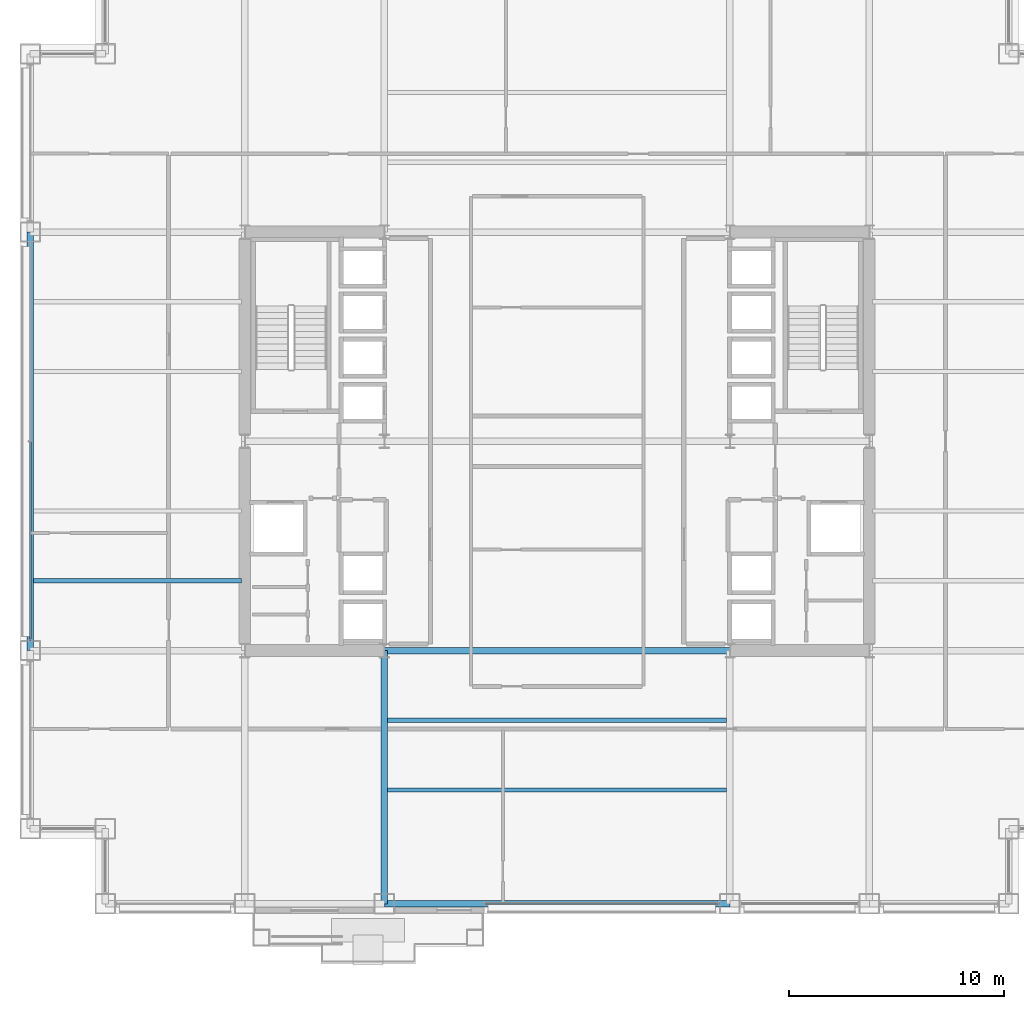
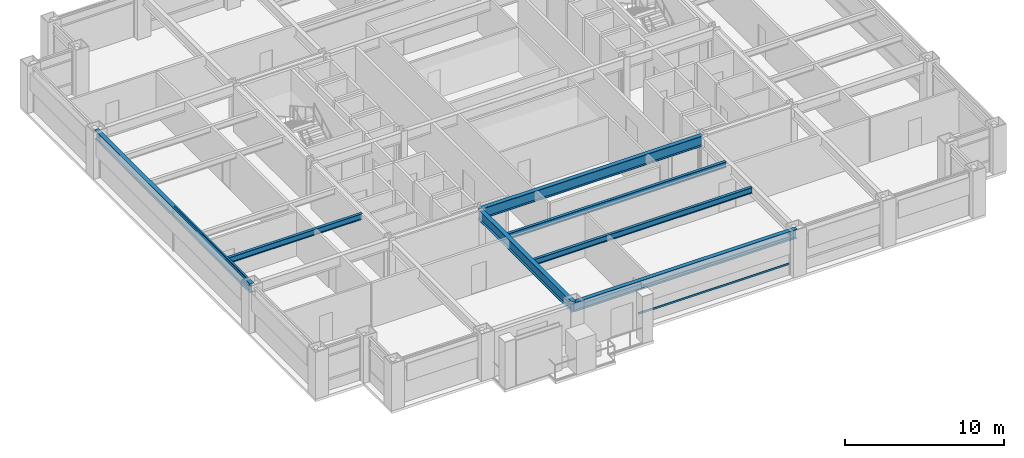
# One storey, part 6 of 31: 7 beams, 2 members, 2 elements without a shape of their own.
"""IFC4 building model written with IfcOpenShell, lengths in metres."""

from ifc_helpers import new_model, si_unit, direction, frame, origin, origin_2d, place, context, subcontext, project, spatial, hollow_rectangle, i_section, extrude, material, layer, layer_set, material_profile, profile_set, type_object, element, aggregate, save


model = new_model("IFC4")

# Units and contexts
model_context = context("Model", 3, precision=1e-05, world=origin(), true_north=direction((0.0, 1.0)))
body_context = subcontext(model_context, "Body", "Model", "MODEL_VIEW")
ifc_project = project(units=[si_unit("LENGTHUNIT", "METRE"), si_unit("AREAUNIT", "SQUARE_METRE"), si_unit("VOLUMEUNIT", "CUBIC_METRE"), si_unit("PLANEANGLEUNIT", "RADIAN"), si_unit("MASSUNIT", "GRAM", prefix="KILO")], contexts=[model_context])

# Site, building, storey
site_placement = place(None, origin())
site = spatial("IfcSite", under=ifc_project, at=site_placement, CompositionType="ELEMENT")
building_placement = place(site_placement, origin())
building = spatial("IfcBuilding", under=site, at=building_placement, Name="Brelmoor Portico Tower", CompositionType="ELEMENT")
storey_placement = place(building_placement, frame((0.0, 0.0, 42.0)))
storey = spatial("IfcBuildingStorey", under=building, at=storey_placement, Name="L10", CompositionType="ELEMENT", Elevation=42.0)

# Beams
ifc_material_1 = material(Name="Steel Q355B", Category="steel")
ifc_material_profile_1 = material_profile(ifc_material_1, i_section(OverallWidth=0.199951171875, OverallDepth=0.449951171875, WebThickness=0.009033203125, FlangeThickness=0.013916015625, at=origin_2d()), Name="HN 450x200x9x14")
ifc_profile_set_1 = profile_set([ifc_material_profile_1], Name="Steel Q355B")
beam_type_1 = type_object("IfcBeamType", Name="BM-JS-450", PredefinedType="JOIST", material=ifc_profile_set_1)
for number, where, z_axis, x_axis, name in (
    (1, (-7.89990234375, -16.25, 3.175048828125), (1.0, 0.0, 0.0), (0.0, 1.0, 0.0), "L10 Secondary Composite Joist JS-C01"),
    (2, (-7.89990234375, -13.0, 3.175048828125), (1.0, 0.0, 0.0), (0.0, 1.0, 0.0), "L10 Secondary Composite Joist JS-C02"),
):
    element("IfcBeam", number, at=place(storey_placement, frame(where, z_axis=z_axis, x_axis=x_axis)), inside=storey, type_object=beam_type_1, Name=name, PredefinedType="JOIST", context=body_context, shape_type="SweptSolid", body=[
        extrude(i_section(OverallWidth=0.199951171875, OverallDepth=0.449951171875, WebThickness=0.009033203125, FlangeThickness=0.013916015625, at=origin_2d()), origin(), (0.0, 0.0, 1.0), 15.7998046875),
    ])
beam_1_placement = place(storey_placement, frame((-24.39990234375, -6.5, 3.175048828125), z_axis=(1.0, 0.0, 0.0), x_axis=(0.0, 1.0, 0.0)))
element("IfcBeam", 3, at=beam_1_placement, inside=storey, type_object=beam_type_1, Name="L10 Secondary Wing Joist JS-W05", PredefinedType="JOIST", context=body_context, shape_type="SweptSolid", body=[
    extrude(i_section(OverallWidth=0.199951171875, OverallDepth=0.449951171875, WebThickness=0.009033203125, FlangeThickness=0.013916015625, at=origin_2d()), origin(), (0.0, 0.0, 1.0), 9.699951171875),
])
ifc_material_profile_2 = material_profile(ifc_material_1, i_section(OverallWidth=0.300048828125, OverallDepth=0.800048828125, WebThickness=0.013916015625, FlangeThickness=0.02587890625, at=origin_2d()), Name="HN 800x300x14x26")
ifc_profile_set_2 = profile_set([ifc_material_profile_2], Name="Steel Q355B")
beam_type_2 = type_object("IfcBeamType", Name="BM-PG-800", PredefinedType="BEAM", material=ifc_profile_set_2)
beam_2_placement = place(storey_placement, frame((-8.050048828125, -21.550048828125, 3.0), z_axis=(0.0, 1.0, 0.0), x_axis=(-1.0, 0.0, 0.0)))
element("IfcBeam", 4, at=beam_2_placement, inside=storey, type_object=beam_type_2, Name="L10 Primary Floor Girder PG-07", PredefinedType="BEAM", context=body_context, shape_type="SweptSolid", body=[
    extrude(i_section(OverallWidth=0.300048828125, OverallDepth=0.800048828125, WebThickness=0.013916015625, FlangeThickness=0.02587890625, at=origin_2d()), origin(), (0.0, 0.0, 1.0), 11.800048828125),
])
beam_3_placement = place(storey_placement, frame((-8.050048828125, -9.75, 3.0), z_axis=(1.0, 0.0, 0.0), x_axis=(0.0, 1.0, 0.0)))
element("IfcBeam", 5, at=beam_3_placement, inside=storey, type_object=beam_type_2, Name="L10 Primary Floor Girder PG-21", PredefinedType="BEAM", context=body_context, shape_type="SweptSolid", body=[
    extrude(i_section(OverallWidth=0.300048828125, OverallDepth=0.800048828125, WebThickness=0.013916015625, FlangeThickness=0.02587890625, at=origin_2d()), origin(), (0.0, 0.0, 1.0), 16.10009765625),
])
ifc_material_profile_3 = material_profile(ifc_material_1, i_section(OverallWidth=0.300048828125, OverallDepth=0.699951171875, WebThickness=0.012939453125, FlangeThickness=0.02392578125, at=origin_2d()), Name="HN 700x300x13x24")
ifc_profile_set_3 = profile_set([ifc_material_profile_3], Name="Steel Q355B")
beam_type_3 = type_object("IfcBeamType", Name="BM-SP-700", PredefinedType="SPANDREL", material=ifc_profile_set_3)
beam_4_placement = place(storey_placement, frame((-8.050048828125, -21.550048828125, 3.050048828125), z_axis=(1.0, 0.0, 0.0), x_axis=(0.0, 1.0, 0.0)))
element("IfcBeam", 6, at=beam_4_placement, inside=storey, type_object=beam_type_3, Name="L10 Perimeter Spandrel Beam SP-03", PredefinedType="SPANDREL", context=body_context, shape_type="SweptSolid", body=[
    extrude(i_section(OverallWidth=0.300048828125, OverallDepth=0.699951171875, WebThickness=0.012939453125, FlangeThickness=0.02392578125, at=origin_2d()), origin(), (0.0, 0.0, 1.0), 16.10009765625),
])
beam_5_placement = place(storey_placement, frame((-24.550048828125, -9.75, 3.050048828125), z_axis=(0.0, 1.0, 0.0), x_axis=(-1.0, 0.0, 0.0)))
element("IfcBeam", 7, at=beam_5_placement, inside=storey, type_object=beam_type_3, Name="L10 Perimeter Spandrel Beam SP-16", PredefinedType="SPANDREL", context=body_context, shape_type="SweptSolid", body=[
    extrude(i_section(OverallWidth=0.300048828125, OverallDepth=0.699951171875, WebThickness=0.012939453125, FlangeThickness=0.02392578125, at=origin_2d()), origin(), (0.0, 0.0, 1.0), 19.5),
])

# Curtain wall, member
ifc_material_2 = material(Name="Anodised Aluminium Alloy 6063-T6", Category="aluminium")
ifc_layer_1 = layer(ifc_material_2, 0.179931640625)
ifc_layer_set_1 = layer_set([ifc_layer_1], Name="Anodised Aluminium Alloy 6063-T6")
curtain_wall_type_1 = type_object("IfcCurtainWallType", Name="CW-TOWER-Z1", PredefinedType="NOTDEFINED", material=ifc_layer_set_1)
curtain_wall_1_placement = place(storey_placement, origin())
curtain_wall_1 = element("IfcCurtainWall", 8, at=curtain_wall_1_placement, inside=storey, type_object=curtain_wall_type_1, Name="L10 Curtain Wall CW-L10-1R-1", PredefinedType="NOTDEFINED")
ifc_material_profile_4 = material_profile(ifc_material_2, hollow_rectangle(XDim=0.06494140625, YDim=0.139892578125, WallThickness=0.00390625, at=origin_2d()), Name="ALU TRANSOM 65x140")
ifc_profile_set_4 = profile_set([ifc_material_profile_4], Name="Anodised Aluminium Alloy 6063-T6")
member_type = type_object("IfcMemberType", Name="MB-CW-TRAN-140", PredefinedType="USERDEFINED", material=ifc_profile_set_4)
member_1_placement = place(storey_placement, frame((-3.39990234375, -21.550048828125, 0.85009765625), z_axis=(1.0, 0.0, 0.0), x_axis=(0.0, 1.0, 0.0)))
member_1 = element("IfcMember", 9, at=member_1_placement, type_object=member_type, Name="CW-L10-1R-1 Transom 1-00", ObjectType="TRANSOM", PredefinedType="USERDEFINED", context=body_context, shape_type="SweptSolid", body=[
    extrude(hollow_rectangle(XDim=0.06494140625, YDim=0.139892578125, WallThickness=0.00390625, at=origin_2d()), origin(), (0.0, 0.0, 1.0), 10.96484375),
])
aggregate(curtain_wall_1, [member_1])

ifc_layer_2 = layer(ifc_material_2, 0.179931640625)
ifc_layer_set_2 = layer_set([ifc_layer_2], Name="Anodised Aluminium Alloy 6063-T6")
curtain_wall_type_2 = type_object("IfcCurtainWallType", Name="CW-TOWER-Z1-XB", PredefinedType="NOTDEFINED", material=ifc_layer_set_2)
curtain_wall_2_placement = place(storey_placement, origin())
curtain_wall_2 = element("IfcCurtainWall", 10, at=curtain_wall_2_placement, inside=storey, type_object=curtain_wall_type_2, Name="L10 Curtain Wall CW-L10-03-2", PredefinedType="NOTDEFINED")
member_2_placement = place(storey_placement, frame((-24.550048828125, -9.264892578125, 3.330078125), z_axis=(0.0, 1.0, 0.0), x_axis=(-1.0, 0.0, 0.0)))
member_2 = element("IfcMember", 11, at=member_2_placement, type_object=member_type, Name="CW-L10-03-2 Transom 1-00", ObjectType="TRANSOM", PredefinedType="USERDEFINED", context=body_context, shape_type="SweptSolid", body=[
    extrude(hollow_rectangle(XDim=0.06494140625, YDim=0.139892578125, WallThickness=0.00390625, at=origin_2d()), origin(), (0.0, 0.0, 1.0), 9.264892578125),
])
aggregate(curtain_wall_2, [member_2])

save(model, "model.ifc")
